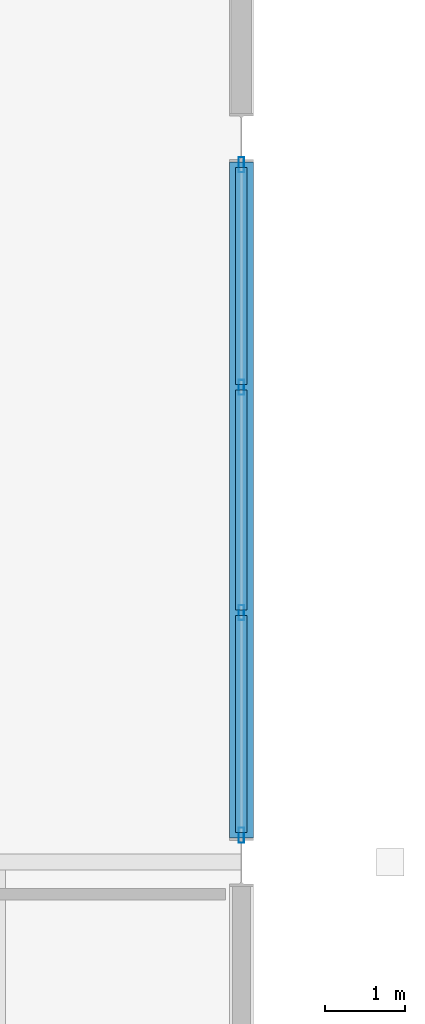
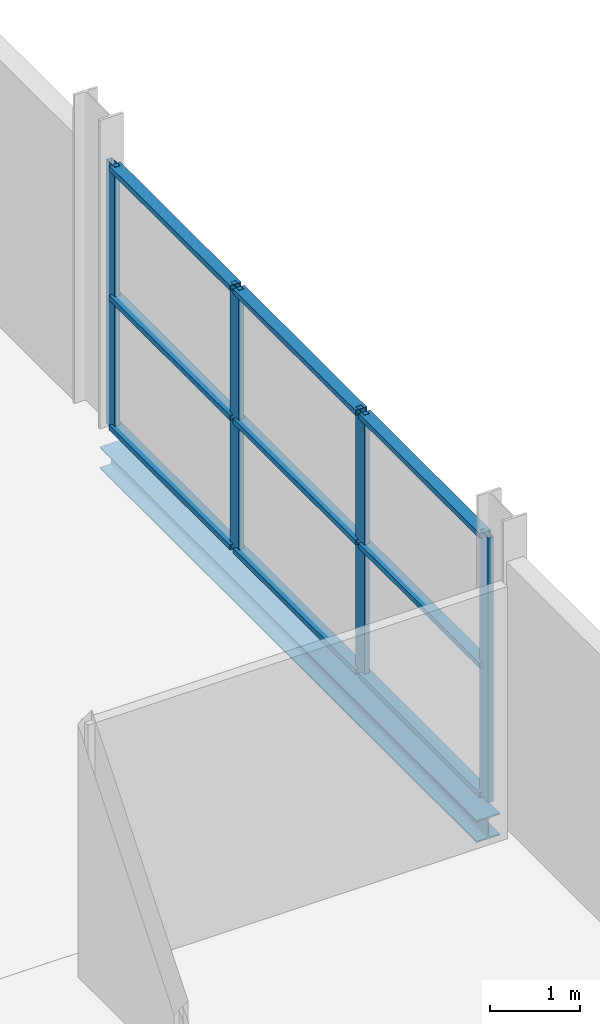
# One storey, part 26 of 44: 13 members, 1 beam, 1 element without a shape of its own.
"""IFC4 building model written with IfcOpenShell, lengths in metres."""

import ifcopenshell
import ifcopenshell.guid

model = None  # the IFC model being written
_history = None  # IfcOwnerHistory: only IFC2X3 demands one
_inside = {}  # id of a spatial element -> (the spatial element, [elements in it])
_under = {}  # id of a project, library or spatial element -> (it, [spatial elements below it])
_declared = {}  # id of a project -> (the project, [libraries it declares])
_typed = {}  # id of a type object -> (the type object, [elements of that type])
_made_of = {}  # id of a material, layer set ... -> (it, [elements and type objects made of it])


def new_model(schema):
    """Start an empty IFC model of exactly this schema.

    Asked for "IFC4X3", IfcOpenShell would pick the latest addendum, in which some entities
    have other attributes; the version numbers below select the first issue.
    IFC2X3 requires an IfcOwnerHistory on every rooted entity: one is made here for all.
    """
    global model, _history
    if schema == "IFC4X3":
        model = ifcopenshell.file(schema_version=(4, 3, 0, 0))
    else:
        model = ifcopenshell.file(schema=schema)
    _inside.clear()
    _under.clear()
    _declared.clear()
    _typed.clear()
    _made_of.clear()
    _history = None
    if model.schema == "IFC2X3":
        org = make("IfcOrganization", Name="unknown")
        user = make(
            "IfcPersonAndOrganization",
            ThePerson=make("IfcPerson", FamilyName="unknown"),
            TheOrganization=org,
        )
        app = make(
            "IfcApplication",
            ApplicationDeveloper=org,
            Version="unknown",
            ApplicationFullName="unknown",
            ApplicationIdentifier="unknown",
        )
        _history = make(
            "IfcOwnerHistory",
            OwningUser=user,
            OwningApplication=app,
            ChangeAction="ADDED",
            CreationDate=0,
        )
    return model


def make(cls, **values):
    """One entity of the class cls with the attributes given. An attribute that is None is left unset."""
    return model.create_entity(
        cls, **{name: value for name, value in values.items() if value is not None}
    )


def rooted(cls, **values):
    """An entity with a GlobalId (a new one), such as an element, a storey or a relation."""
    return make(cls, GlobalId=ifcopenshell.guid.new(), OwnerHistory=_history, **values)


def si_unit(unit_type, name, prefix=None):
    """IfcSIUnit, for example si_unit("LENGTHUNIT", "METRE", prefix="MILLI")."""
    return make("IfcSIUnit", UnitType=unit_type, Prefix=prefix, Name=name)


def assignment(units):
    """IfcUnitAssignment: the units of a project."""
    return None if units is None else make("IfcUnitAssignment", Units=units)


def point(xyz):
    """IfcCartesianPoint."""
    return None if xyz is None else make("IfcCartesianPoint", Coordinates=xyz)


def direction(xyz):
    """IfcDirection."""
    return None if xyz is None else make("IfcDirection", DirectionRatios=xyz)


def frame(location, z_axis=None, x_axis=None):
    """IfcAxis2Placement3D, a coordinate frame: its origin and axes. An axis left out is left unset."""
    return make(
        "IfcAxis2Placement3D",
        Location=point(location),
        Axis=direction(z_axis),
        RefDirection=direction(x_axis),
    )


def frame_2d(location, x_axis=None):
    """IfcAxis2Placement2D, a coordinate frame in the plane: its origin and x axis."""
    return make(
        "IfcAxis2Placement2D", Location=point(location), RefDirection=direction(x_axis)
    )


def origin():
    """The frame at (0, 0, 0) with its axes left unset."""
    return frame((0.0, 0.0, 0.0))


def origin_2d():
    """The frame at (0, 0) in the plane with its x axis left unset."""
    return frame_2d((0.0, 0.0))


def place(relative_to, where):
    """IfcLocalPlacement: puts the frame where relative to a parent placement (None: the world)."""
    return make(
        "IfcLocalPlacement", PlacementRelTo=relative_to, RelativePlacement=where
    )


def context(
    kind, dimensions, precision=None, world=None, true_north=None, identifier=None
):
    """IfcGeometricRepresentationContext, for example the 3D "Model" context."""
    return make(
        "IfcGeometricRepresentationContext",
        ContextIdentifier=identifier,
        ContextType=kind,
        CoordinateSpaceDimension=dimensions,
        Precision=precision,
        WorldCoordinateSystem=world,
        TrueNorth=true_north,
    )


def subcontext(parent, identifier, kind, view, scale=None):
    """IfcGeometricRepresentationSubContext, for example "Body" below "Model"."""
    return make(
        "IfcGeometricRepresentationSubContext",
        ContextIdentifier=identifier,
        ContextType=kind,
        ParentContext=parent,
        TargetScale=scale,
        TargetView=view,
    )


def project(units=None, contexts=None):
    """IfcProject with its units and contexts."""
    return rooted(
        "IfcProject",
        Name="project",
        RepresentationContexts=contexts,
        UnitsInContext=assignment(units),
    )


def spatial(cls, under=None, at=None, **own):
    """A site, building, storey or space (cls), placed at a placement, below another one or the project."""
    s = rooted(cls, ObjectPlacement=at, **own)
    if under is not None:
        _under.setdefault(under.id(), (under, []))[1].append(s)
    return s


def profile(cls, at=None, kind="AREA", **sizes):
    """A parametric profile (cls). Its sizes go by their IFC names, for example OverallWidth=200.0."""
    return make(cls, ProfileType=kind, Position=at, **sizes)


def hollow_rectangle(**sizes):
    """IfcRectangleHollowProfileDef."""
    return profile("IfcRectangleHollowProfileDef", **sizes)


def i_section(**sizes):
    """IfcIShapeProfileDef."""
    return profile("IfcIShapeProfileDef", **sizes)


def extrude(swept, where, along, depth):
    """IfcExtrudedAreaSolid: the profile swept, set in the frame where, extruded along a direction by depth."""
    return make(
        "IfcExtrudedAreaSolid",
        SweptArea=swept,
        Position=where,
        ExtrudedDirection=direction(along),
        Depth=depth,
    )


def shape(context_of_items, identifier, shape_type, items):
    """IfcShapeRepresentation: the items that make up one representation, for example the "Body"."""
    return make(
        "IfcShapeRepresentation",
        ContextOfItems=context_of_items,
        RepresentationIdentifier=identifier,
        RepresentationType=shape_type,
        Items=items,
    )


def material(Name=None, Category=None):
    """IfcMaterial."""
    return make("IfcMaterial", Name=Name, Category=Category)


def layer(
    of_material, thickness, ventilated=None, Name=None, Category=None, Priority=None
):
    """IfcMaterialLayer: one layer of a wall or slab, of a material (None: an air gap)."""
    return make(
        "IfcMaterialLayer",
        Material=of_material,
        LayerThickness=thickness,
        IsVentilated=ventilated,
        Name=Name,
        Category=Category,
        Priority=Priority,
    )


def layer_set(layers, Name=None):
    """IfcMaterialLayerSet."""
    return make("IfcMaterialLayerSet", MaterialLayers=layers, LayerSetName=Name)


def material_profile(
    of_material, cross_section, Name=None, Category=None, Priority=None
):
    """IfcMaterialProfile: a cross section and its material."""
    return make(
        "IfcMaterialProfile",
        Name=Name,
        Material=of_material,
        Profile=cross_section,
        Priority=Priority,
        Category=Category,
    )


def profile_set(profiles, Name=None, composite=None):
    """IfcMaterialProfileSet."""
    return make(
        "IfcMaterialProfileSet",
        Name=Name,
        MaterialProfiles=profiles,
        CompositeProfile=composite,
    )


def made_of(thing, what):
    """Note that an element or type object is made of a material, layer set ...; save() writes the relation."""
    if what is not None:
        _made_of.setdefault(what.id(), (what, []))[1].append(thing)
    return thing


def type_object(cls, material=None, **own):
    """A type object (cls), such as IfcWallType, which elements share."""
    return made_of(rooted(cls, **own), material)


def element(
    cls,
    number,
    at=None,
    inside=None,
    cuts=None,
    type_object=None,
    material=None,
    context=None,
    identifier="Body",
    shape_type=None,
    held_by="IfcProductDefinitionShape",
    body=None,
    shapes=None,
    **own,
):
    """One element of the class cls, such as IfcWall. Its Tag is "e" and its number.

    at: its placement. inside: the storey or other place that contains it. cuts: it is an
    opening in that element (IfcRelVoidsElement). A single representation is given by context,
    identifier, shape_type and body (its items); several are given by shapes. held_by: the class
    of the entity that holds the representations. save() writes the other relations.
    """
    e = rooted(cls, Tag="e%d" % number, ObjectPlacement=at, **own)
    if body is not None:
        shapes = [shape(context, identifier, shape_type, body)]
    if shapes is not None:
        e.Representation = make(held_by, Representations=shapes)
    if inside is not None:
        _inside.setdefault(inside.id(), (inside, []))[1].append(e)
    if cuts is not None:
        rooted(
            "IfcRelVoidsElement", RelatingBuildingElement=cuts, RelatedOpeningElement=e
        )
    if type_object is not None:
        _typed.setdefault(type_object.id(), (type_object, []))[1].append(e)
    return made_of(e, material)


def aggregate(whole, parts):
    """IfcRelAggregates: a whole, such as a stair, and the parts it consists of."""
    return rooted("IfcRelAggregates", RelatingObject=whole, RelatedObjects=parts)


def save(model, path):
    """Write the relations noted so far, then the file.

    IfcRelAggregates (storeys below a building ...), IfcRelContainedInSpatialStructure (elements
    in a storey), IfcRelDefinesByType, IfcRelAssociatesMaterial and IfcRelDeclares: one each for
    every whole, place, type object, material and project.
    """
    for whole, parts in _under.values():
        aggregate(whole, parts)
    for where, things in _inside.values():
        rooted(
            "IfcRelContainedInSpatialStructure",
            RelatedElements=things,
            RelatingStructure=where,
        )
    for kind, things in _typed.values():
        rooted("IfcRelDefinesByType", RelatedObjects=things, RelatingType=kind)
    for what, things in _made_of.values():
        rooted("IfcRelAssociatesMaterial", RelatedObjects=things, RelatingMaterial=what)
    for by, libraries in _declared.values():
        rooted("IfcRelDeclares", RelatingContext=by, RelatedDefinitions=libraries)
    model.write(path)


model = new_model("IFC4")

# Units and contexts
model_context = context("Model", 3, precision=1e-05, world=origin(), true_north=direction((0.0, 1.0)))
body_context = subcontext(model_context, "Body", "Model", "MODEL_VIEW")
ifc_project = project(units=[si_unit("LENGTHUNIT", "METRE"), si_unit("AREAUNIT", "SQUARE_METRE"), si_unit("VOLUMEUNIT", "CUBIC_METRE"), si_unit("PLANEANGLEUNIT", "RADIAN"), si_unit("MASSUNIT", "GRAM", prefix="KILO")], contexts=[model_context])

# Site, building, storey
site_placement = place(None, origin())
site = spatial("IfcSite", under=ifc_project, at=site_placement, CompositionType="ELEMENT")
building_placement = place(site_placement, origin())
building = spatial("IfcBuilding", under=site, at=building_placement, Name="Deido Ridge Mobility Hub", CompositionType="ELEMENT")
storey_placement = place(building_placement, frame((0.0, 0.0, 25.199951171875)))
storey = spatial("IfcBuildingStorey", under=building, at=storey_placement, Name="L06", CompositionType="ELEMENT", Elevation=25.199951171875)

# Curtain wall, members
ifc_material_1 = material(Name="Anodised aluminium EN AW-6063 T6", Category="aluminium")
ifc_layer = layer(ifc_material_1, 0.22509765625, Name="Anodised aluminium EN AW-6063 T6")
ifc_layer_set = layer_set([ifc_layer], Name="Anodised aluminium EN AW-6063 T6")
curtain_wall_type = type_object("IfcCurtainWallType", Name="CW-UF-5", PredefinedType="USERDEFINED", material=ifc_layer_set)
curtain_wall_placement = place(storey_placement, origin())
curtain_wall = element("IfcCurtainWall", 1, at=curtain_wall_placement, inside=storey, type_object=curtain_wall_type, Name="Unitised curtain wall CW5", ObjectType="UNITISED FACADE", PredefinedType="USERDEFINED")
ifc_material_profile_1 = material_profile(ifc_material_1, hollow_rectangle(XDim=0.070068359375, YDim=0.18994140625, WallThickness=0.00390625, at=origin_2d()), Name="RHS 70x190x4")
ifc_profile_set_1 = profile_set([ifc_material_profile_1], Name="Anodised aluminium EN AW-6063 T6")
member_type_1 = type_object("IfcMemberType", Name="MEM-MUL-70X190", PredefinedType="MULLION", material=ifc_profile_set_1)
member_1_placement = place(storey_placement, frame((180.0, 36.3349609375, 0.0), z_axis=(0.0, 0.0, 1.0), x_axis=(-1.0, 0.0, 0.0)))
member_1 = element("IfcMember", 2, at=member_1_placement, type_object=member_type_1, Name="CW5 mullion 1", PredefinedType="MULLION", context=body_context, shape_type="SweptSolid", body=[
    extrude(hollow_rectangle(XDim=0.070068359375, YDim=0.18994140625, WallThickness=0.00390625, at=origin_2d()), origin(), (0.0, 0.0, 1.0), 3.60009765625),
])
member_2_placement = place(storey_placement, frame((180.0, 39.10009765625, 0.0), z_axis=(0.0, 0.0, 1.0), x_axis=(-1.0, 0.0, 0.0)))
member_2 = element("IfcMember", 3, at=member_2_placement, type_object=member_type_1, Name="CW5 mullion 2", PredefinedType="MULLION", context=body_context, shape_type="SweptSolid", body=[
    extrude(hollow_rectangle(XDim=0.070068359375, YDim=0.18994140625, WallThickness=0.00390625, at=origin_2d()), origin(), (0.0, 0.0, 1.0), 3.60009765625),
])
member_3_placement = place(storey_placement, frame((180.0, 41.89990234375, 0.0), z_axis=(0.0, 0.0, 1.0), x_axis=(-1.0, 0.0, 0.0)))
member_3 = element("IfcMember", 4, at=member_3_placement, type_object=member_type_1, Name="CW5 mullion 3", PredefinedType="MULLION", context=body_context, shape_type="SweptSolid", body=[
    extrude(hollow_rectangle(XDim=0.070068359375, YDim=0.18994140625, WallThickness=0.00390625, at=origin_2d()), origin(), (0.0, 0.0, 1.0), 3.60009765625),
])
member_4_placement = place(storey_placement, frame((180.0, 44.6650390625, 0.0), z_axis=(0.0, 0.0, 1.0), x_axis=(-1.0, 0.0, 0.0)))
member_4 = element("IfcMember", 5, at=member_4_placement, type_object=member_type_1, Name="CW5 mullion 4", PredefinedType="MULLION", context=body_context, shape_type="SweptSolid", body=[
    extrude(hollow_rectangle(XDim=0.070068359375, YDim=0.18994140625, WallThickness=0.00390625, at=origin_2d()), origin(), (0.0, 0.0, 1.0), 3.60009765625),
])
ifc_material_profile_2 = material_profile(ifc_material_1, hollow_rectangle(XDim=0.14501953125, YDim=0.070068359375, WallThickness=0.00390625, at=origin_2d()), Name="RHS 145x70x4")
ifc_profile_set_2 = profile_set([ifc_material_profile_2], Name="Anodised aluminium EN AW-6063 T6")
member_type_2 = type_object("IfcMemberType", Name="MEM-TRN-145X70", PredefinedType="USERDEFINED", material=ifc_profile_set_2)
member_5_placement = place(storey_placement, frame((180.0, 36.3701171875, 0.03515625), z_axis=(0.0, 1.0, 0.0), x_axis=(-1.0, 0.0, 0.0)))
member_5 = element("IfcMember", 6, at=member_5_placement, type_object=member_type_2, Name="CW5 transom 1.1", ObjectType="TRANSOM", PredefinedType="USERDEFINED", context=body_context, shape_type="SweptSolid", body=[
    extrude(hollow_rectangle(XDim=0.14501953125, YDim=0.070068359375, WallThickness=0.00390625, at=origin_2d()), origin(), (0.0, 0.0, 1.0), 2.69482421875),
])
member_6_placement = place(storey_placement, frame((180.0, 36.3701171875, 1.800048828125), z_axis=(0.0, 1.0, 0.0), x_axis=(-1.0, 0.0, 0.0)))
member_6 = element("IfcMember", 7, at=member_6_placement, type_object=member_type_2, Name="CW5 transom 1.2", ObjectType="TRANSOM", PredefinedType="USERDEFINED", context=body_context, shape_type="SweptSolid", body=[
    extrude(hollow_rectangle(XDim=0.14501953125, YDim=0.070068359375, WallThickness=0.00390625, at=origin_2d()), origin(), (0.0, 0.0, 1.0), 2.69482421875),
])
member_7_placement = place(storey_placement, frame((180.0, 36.3701171875, 3.56494140625), z_axis=(0.0, 1.0, 0.0), x_axis=(-1.0, 0.0, 0.0)))
member_7 = element("IfcMember", 8, at=member_7_placement, type_object=member_type_2, Name="CW5 transom 1.3", ObjectType="TRANSOM", PredefinedType="USERDEFINED", context=body_context, shape_type="SweptSolid", body=[
    extrude(hollow_rectangle(XDim=0.14501953125, YDim=0.070068359375, WallThickness=0.00390625, at=origin_2d()), origin(), (0.0, 0.0, 1.0), 2.69482421875),
])
member_8_placement = place(storey_placement, frame((180.0, 39.135009765625, 0.03515625), z_axis=(0.0, 1.0, 0.0), x_axis=(-1.0, 0.0, 0.0)))
member_8 = element("IfcMember", 9, at=member_8_placement, type_object=member_type_2, Name="CW5 transom 2.1", ObjectType="TRANSOM", PredefinedType="USERDEFINED", context=body_context, shape_type="SweptSolid", body=[
    extrude(hollow_rectangle(XDim=0.14501953125, YDim=0.070068359375, WallThickness=0.00390625, at=origin_2d()), origin(), (0.0, 0.0, 1.0), 2.72998046875),
])
member_9_placement = place(storey_placement, frame((180.0, 39.135009765625, 1.800048828125), z_axis=(0.0, 1.0, 0.0), x_axis=(-1.0, 0.0, 0.0)))
member_9 = element("IfcMember", 10, at=member_9_placement, type_object=member_type_2, Name="CW5 transom 2.2", ObjectType="TRANSOM", PredefinedType="USERDEFINED", context=body_context, shape_type="SweptSolid", body=[
    extrude(hollow_rectangle(XDim=0.14501953125, YDim=0.070068359375, WallThickness=0.00390625, at=origin_2d()), origin(), (0.0, 0.0, 1.0), 2.72998046875),
])
member_10_placement = place(storey_placement, frame((180.0, 39.135009765625, 3.56494140625), z_axis=(0.0, 1.0, 0.0), x_axis=(-1.0, 0.0, 0.0)))
member_10 = element("IfcMember", 11, at=member_10_placement, type_object=member_type_2, Name="CW5 transom 2.3", ObjectType="TRANSOM", PredefinedType="USERDEFINED", context=body_context, shape_type="SweptSolid", body=[
    extrude(hollow_rectangle(XDim=0.14501953125, YDim=0.070068359375, WallThickness=0.00390625, at=origin_2d()), origin(), (0.0, 0.0, 1.0), 2.72998046875),
])
member_11_placement = place(storey_placement, frame((180.0, 41.93505859375, 0.03515625), z_axis=(0.0, 1.0, 0.0), x_axis=(-1.0, 0.0, 0.0)))
member_11 = element("IfcMember", 12, at=member_11_placement, type_object=member_type_2, Name="CW5 transom 3.1", ObjectType="TRANSOM", PredefinedType="USERDEFINED", context=body_context, shape_type="SweptSolid", body=[
    extrude(hollow_rectangle(XDim=0.14501953125, YDim=0.070068359375, WallThickness=0.00390625, at=origin_2d()), origin(), (0.0, 0.0, 1.0), 2.69482421875),
])
member_12_placement = place(storey_placement, frame((180.0, 41.93505859375, 1.800048828125), z_axis=(0.0, 1.0, 0.0), x_axis=(-1.0, 0.0, 0.0)))
member_12 = element("IfcMember", 13, at=member_12_placement, type_object=member_type_2, Name="CW5 transom 3.2", ObjectType="TRANSOM", PredefinedType="USERDEFINED", context=body_context, shape_type="SweptSolid", body=[
    extrude(hollow_rectangle(XDim=0.14501953125, YDim=0.070068359375, WallThickness=0.00390625, at=origin_2d()), origin(), (0.0, 0.0, 1.0), 2.69482421875),
])
member_13_placement = place(storey_placement, frame((180.0, 41.93505859375, 3.56494140625), z_axis=(0.0, 1.0, 0.0), x_axis=(-1.0, 0.0, 0.0)))
member_13 = element("IfcMember", 14, at=member_13_placement, type_object=member_type_2, Name="CW5 transom 3.3", ObjectType="TRANSOM", PredefinedType="USERDEFINED", context=body_context, shape_type="SweptSolid", body=[
    extrude(hollow_rectangle(XDim=0.14501953125, YDim=0.070068359375, WallThickness=0.00390625, at=origin_2d()), origin(), (0.0, 0.0, 1.0), 2.69482421875),
])
aggregate(curtain_wall, [member_1, member_2, member_3, member_4, member_5, member_6, member_7, member_8, member_9, member_10, member_11, member_12, member_13])

# Beam
ifc_material_2 = material(Name="Steel S355J2 EN 10025-2", Category="steel")
ifc_material_profile_3 = material_profile(ifc_material_2, i_section(OverallWidth=0.300048828125, OverallDepth=0.300048828125, WebThickness=0.010986328125, FlangeThickness=0.01904296875, FilletRadius=0.027099609375, at=origin_2d()), Name="HEB 300")
ifc_profile_set_3 = profile_set([ifc_material_profile_3], Name="Steel S355J2 EN 10025-2")
beam_type = type_object("IfcBeamType", Name="SPD-HEB300", PredefinedType="SPANDREL", material=ifc_profile_set_3)
beam_placement = place(storey_placement, frame((180.0, 36.300048828125, -0.389892578125), z_axis=(0.0, 1.0, 0.0), x_axis=(-1.0, 0.0, 0.0)))
element("IfcBeam", 15, at=beam_placement, inside=storey, type_object=beam_type, Name="Floor beam SP1", PredefinedType="SPANDREL", context=body_context, shape_type="SweptSolid", body=[
    extrude(i_section(OverallWidth=0.300048828125, OverallDepth=0.300048828125, WebThickness=0.010986328125, FlangeThickness=0.01904296875, FilletRadius=0.027099609375, at=origin_2d()), origin(), (0.0, 0.0, 1.0), 8.39990234375),
])

save(model, "model.ifc")
